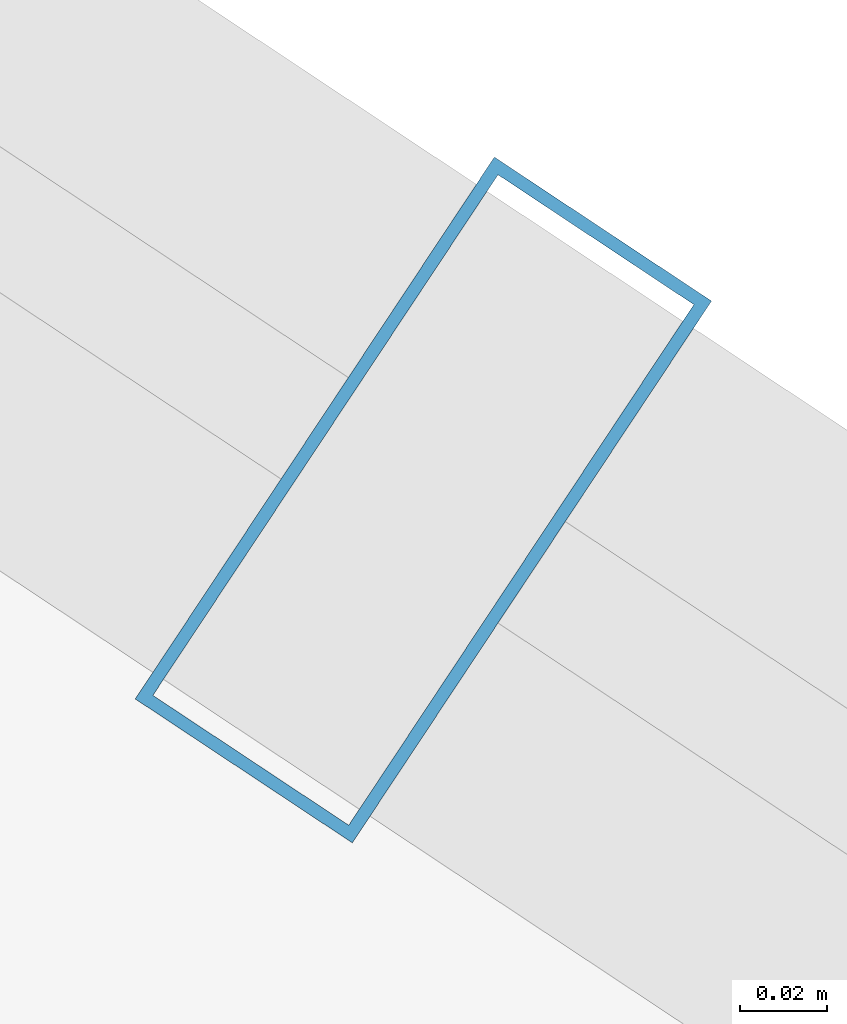
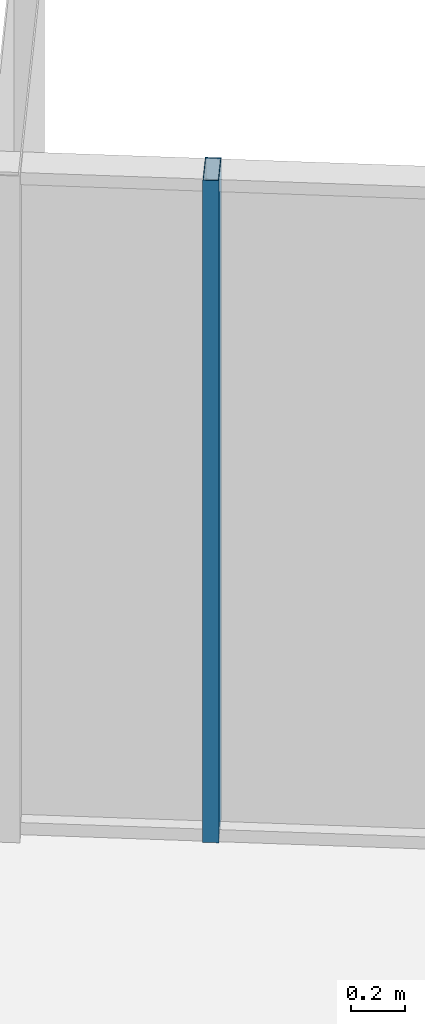
# One storey, part 14 of 29: 1 member, 1 element without a shape of its own.
"""IFC4 building model written with IfcOpenShell, lengths in metres."""

from ifc_helpers import new_model, si_unit, direction, frame, origin, origin_2d, place, context, subcontext, project, spatial, hollow_rectangle, extrude, source, transform, mapped, material, layer, layer_set, material_profile, profile_set, type_object, element, aggregate, save


model = new_model("IFC4")

# Units and contexts
model_context = context("Model", 3, precision=1e-05, world=origin(), true_north=direction((0.0, 1.0)))
body_context = subcontext(model_context, "Body", "Model", "MODEL_VIEW")
ifc_project = project(units=[si_unit("LENGTHUNIT", "METRE"), si_unit("AREAUNIT", "SQUARE_METRE"), si_unit("VOLUMEUNIT", "CUBIC_METRE"), si_unit("PLANEANGLEUNIT", "RADIAN"), si_unit("MASSUNIT", "GRAM", prefix="KILO")], contexts=[model_context])

# Site, building, storey
site_placement = place(None, origin())
site = spatial("IfcSite", under=ifc_project, at=site_placement, CompositionType="ELEMENT")
building_placement = place(site_placement, origin())
building = spatial("IfcBuilding", under=site, at=building_placement, Name="Veraguas Prism Commons", CompositionType="ELEMENT")
storey_placement = place(building_placement, frame((0.0, 0.0, 218.89990234375)))
storey = spatial("IfcBuildingStorey", under=building, at=storey_placement, Name="L62", CompositionType="ELEMENT", Elevation=218.89990234375)

# Curtain wall, member
ifc_material = material(Name="Anodised aluminium EN AW-6063 T6", Category="aluminium")
ifc_layer = layer(ifc_material, 0.14990234375, Name="Unitised Flush Curtain Wall Zone 3", Category="aluminium")
ifc_layer_set = layer_set([ifc_layer], Name="Anodised aluminium EN AW-6063 T6")
curtain_wall_type = type_object("IfcCurtainWallType", Name="Unitised Flush Curtain Wall Zone 3", PredefinedType="NOTDEFINED", material=ifc_layer_set)
curtain_wall_placement = place(storey_placement, origin())
curtain_wall = element("IfcCurtainWall", 1, at=curtain_wall_placement, inside=storey, type_object=curtain_wall_type, Name="Tower Facade Curtain Wall L62-F1", PredefinedType="NOTDEFINED")
ifc_material_profile = material_profile(ifc_material, hollow_rectangle(XDim=0.06005859375, YDim=0.14990234375, WallThickness=0.0029296875, at=origin_2d()), Name="AL60X150X3")
ifc_profile_set = profile_set([ifc_material_profile], Name="Anodised aluminium EN AW-6063 T6")
member_type = type_object("IfcMemberType", Name="Curtain Wall Mullion Upper AL 60x150x3", PredefinedType="MULLION", material=ifc_profile_set)
shared_shape = source(origin(), body_context, "Body", "SweptSolid", [
    extrude(hollow_rectangle(XDim=0.06005859375, YDim=0.14990234375, WallThickness=0.0029296875, at=origin_2d()), origin(), (0.0, 0.0, 1.0), 3.01513671875),
])
member_placement = place(storey_placement, frame((37.098876953125, 36.56494140625, 0.0), z_axis=(0.0, 0.0, 1.0), x_axis=(-0.833503187151, 0.552514648683, 0.0)))
member = element("IfcMember", 2, at=member_placement, type_object=member_type, Name="CW-Z3 Mullion 2", PredefinedType="MULLION", context=body_context, shape_type="MappedRepresentation", body=[
    mapped(shared_shape, transform((0.0, 0.0, 0.0), scale=1.0)),
])
aggregate(curtain_wall, [member])

save(model, "model.ifc")
